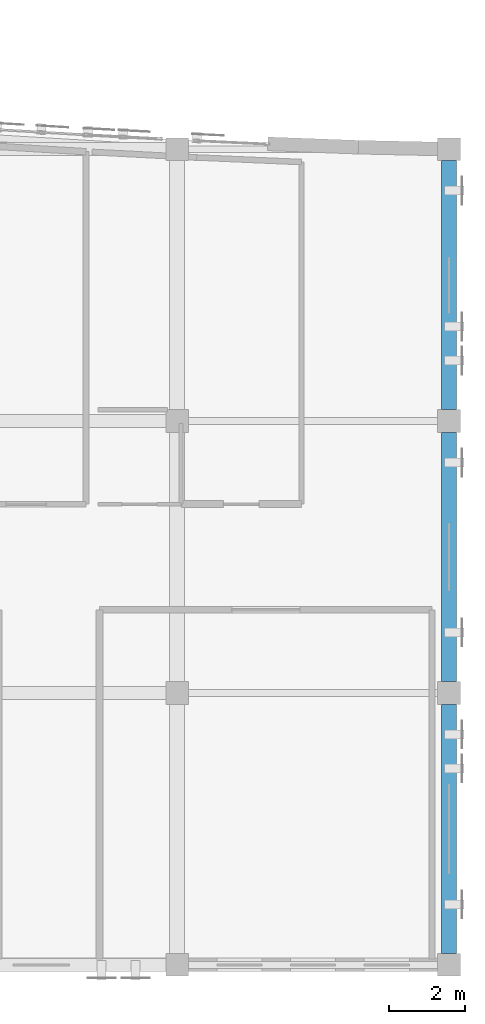
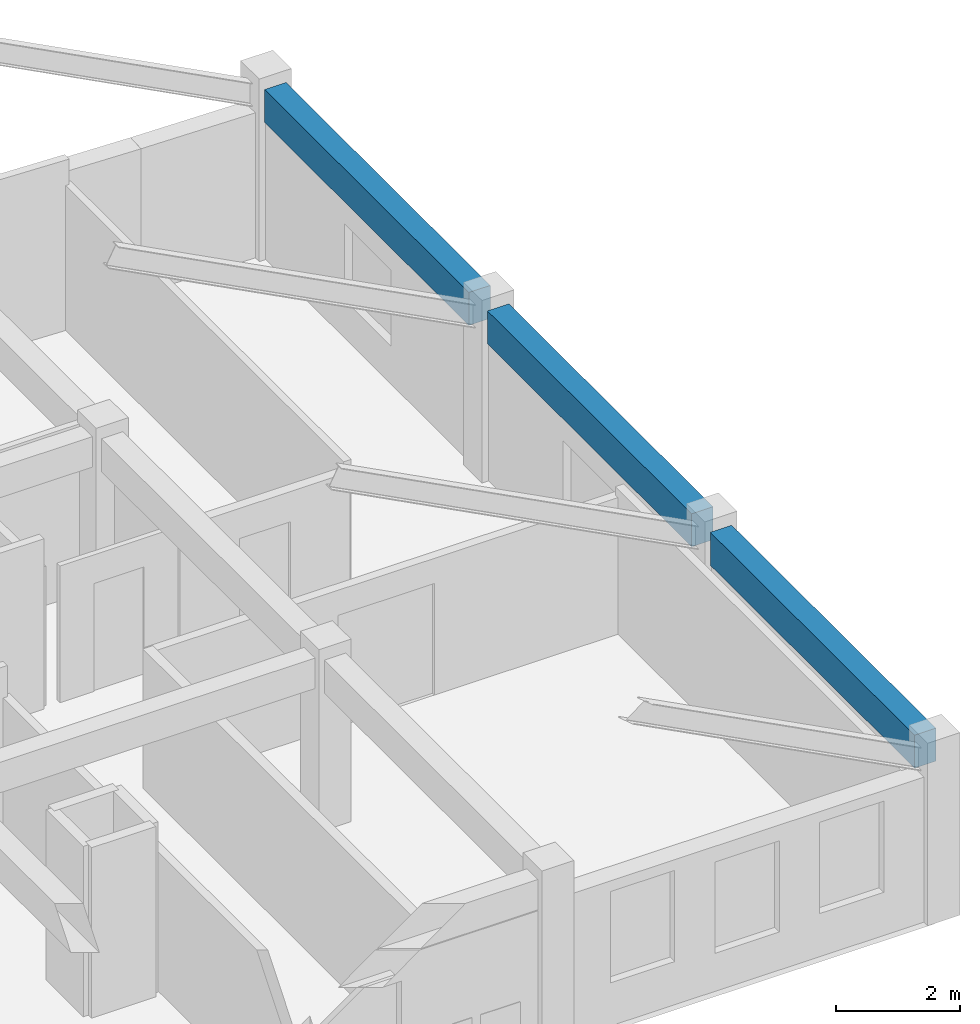
# One storey, part 30 of 51: 3 beams.
"""IFC4 building model written with IfcOpenShell, lengths in metres."""

from ifc_helpers import new_model, si_unit, direction, frame, origin, origin_2d, place, context, subcontext, project, spatial, rectangle, extrude, material, material_profile, profile_set, type_object, element, save


model = new_model("IFC4")

# Units and contexts
model_context = context("Model", 3, precision=1e-05, world=origin(), true_north=direction((0.0, 1.0)))
body_context = subcontext(model_context, "Body", "Model", "MODEL_VIEW")
ifc_project = project(units=[si_unit("LENGTHUNIT", "METRE"), si_unit("AREAUNIT", "SQUARE_METRE"), si_unit("VOLUMEUNIT", "CUBIC_METRE"), si_unit("PLANEANGLEUNIT", "RADIAN"), si_unit("MASSUNIT", "GRAM", prefix="KILO")], contexts=[model_context])

# Site, building, storey
site_placement = place(None, origin())
site = spatial("IfcSite", under=ifc_project, at=site_placement, CompositionType="ELEMENT")
building_placement = place(site_placement, origin())
building = spatial("IfcBuilding", under=site, at=building_placement, Name="Carrowvane Square Congress Hotel", CompositionType="ELEMENT")
storey_placement = place(building_placement, frame((0.0, 0.0, 30.0)))
storey = spatial("IfcBuildingStorey", under=building, at=storey_placement, Name="L07", CompositionType="ELEMENT", Elevation=30.0)

# Beams
ifc_material = material(Name="Concrete C35/45", Category="concrete")
ifc_material_profile = material_profile(ifc_material, rectangle(XDim=0.39990234375, YDim=0.64990234375, at=origin_2d()), Name="RC 400x650")
ifc_profile_set = profile_set([ifc_material_profile], Name="Concrete C35/45")
beam_type = type_object("IfcBeamType", Name="BM-RC-400x650", PredefinedType="BEAM", material=ifc_profile_set)
for number, where, z_axis, x_axis, name in (
    (1, (162.800048828125, 92.10009765625, 3.034912109375), (0.0, 1.0, 0.0), (-1.0, 0.0, 0.0), "L08 girder 22/N-P"),
    (2, (162.800048828125, 99.300048828125, 3.034912109375), (0.0, 1.0, 0.0), (-1.0, 0.0, 0.0), "L08 girder 22/P-Q"),
):
    element("IfcBeam", number, at=place(storey_placement, frame(where, z_axis=z_axis, x_axis=x_axis)), inside=storey, type_object=beam_type, Name=name, PredefinedType="BEAM", context=body_context, shape_type="SweptSolid", body=[
        extrude(rectangle(XDim=0.39990234375, YDim=0.64990234375, at=origin_2d()), origin(), (0.0, 0.0, 1.0), 6.599853515625),
    ])
beam_placement = place(storey_placement, frame((162.800048828125, 106.5, 3.034912109375), z_axis=(0.0, 1.0, 0.0), x_axis=(-1.0, 0.0, 0.0)))
element("IfcBeam", 3, at=beam_placement, inside=storey, type_object=beam_type, Name="L08 girder 22/Q-R", PredefinedType="BEAM", context=body_context, shape_type="SweptSolid", body=[
    extrude(rectangle(XDim=0.39990234375, YDim=0.64990234375, at=origin_2d()), origin(), (0.0, 0.0, 1.0), 6.60009765625),
])

save(model, "model.ifc")
